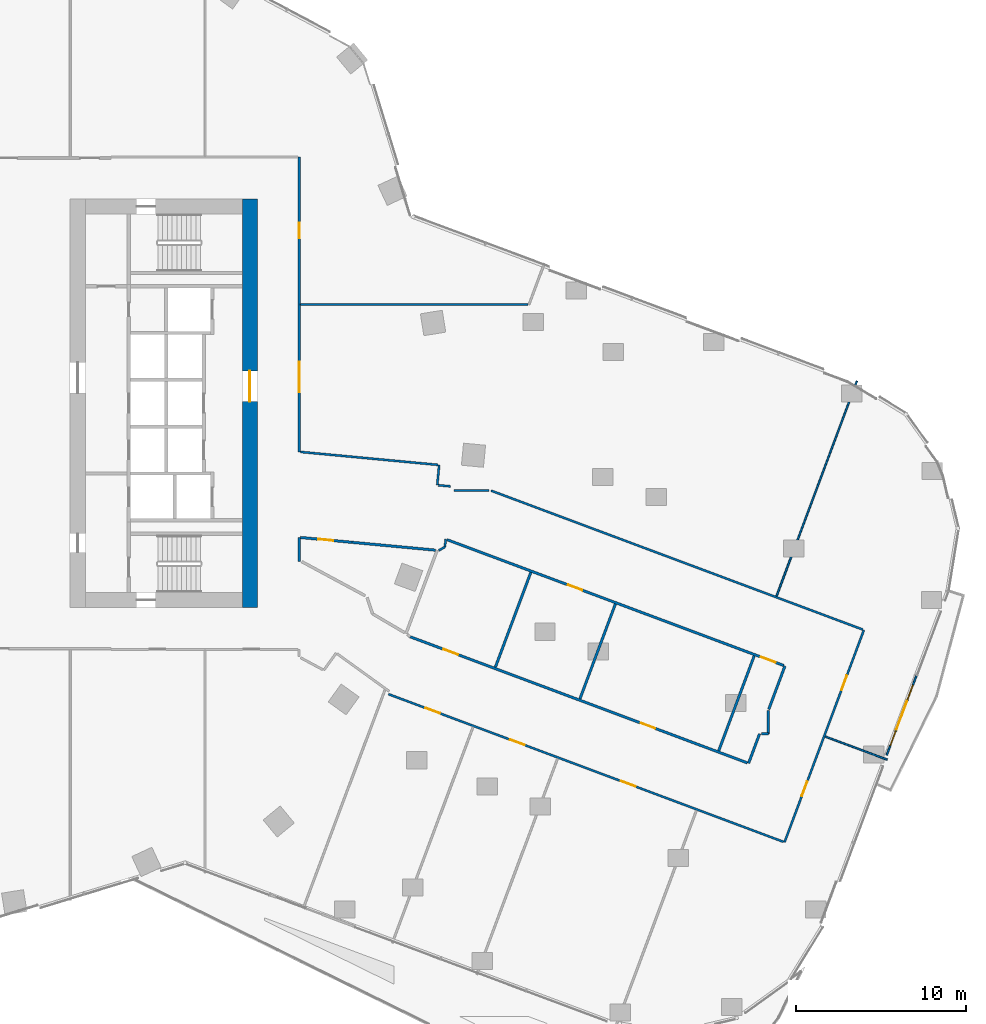
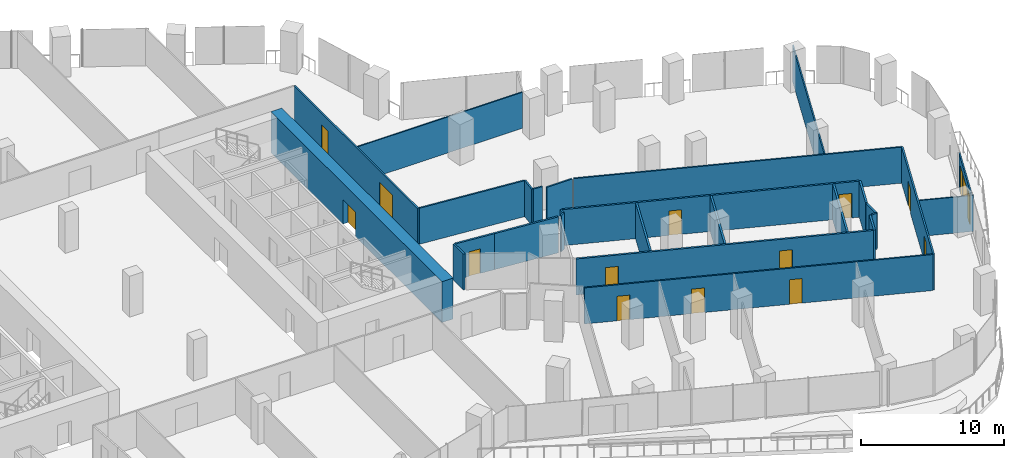
# One storey, part 25 of 30: 27 walls, 14 doors, 2 windows, 16 openings.
"""IFC4 building model written with IfcOpenShell, lengths in metres."""

from ifc_helpers import new_model, si_unit, direction, frame, frame_2d, origin, place, context, subcontext, project, spatial, rectangle, extrude, material, layer, layer_set, type_object, element, fill, save


model = new_model("IFC4")

# Units and contexts
model_context = context("Model", 3, precision=1e-05, world=origin(), true_north=direction((0.0, 1.0)))
body_context = subcontext(model_context, "Body", "Model", "MODEL_VIEW")
ifc_project = project(units=[si_unit("LENGTHUNIT", "METRE"), si_unit("AREAUNIT", "SQUARE_METRE"), si_unit("VOLUMEUNIT", "CUBIC_METRE"), si_unit("PLANEANGLEUNIT", "RADIAN"), si_unit("MASSUNIT", "GRAM", prefix="KILO")], contexts=[model_context])

# Site, building, storey
site_placement = place(None, origin())
site = spatial("IfcSite", under=ifc_project, at=site_placement, CompositionType="ELEMENT")
building_placement = place(site_placement, origin())
building = spatial("IfcBuilding", under=site, at=building_placement, Name="Orlundy Tower", CompositionType="ELEMENT")
storey_placement = place(building_placement, frame((0.0, 0.0, 80.699951171875)))
storey = spatial("IfcBuildingStorey", under=building, at=storey_placement, Name="L19", CompositionType="ELEMENT", Elevation=80.699951171875)

# Wall, opening, door
ifc_material_1 = material(Name="Concrete C80/95", Category="concrete")
ifc_layer_1 = layer(ifc_material_1, 0.89990234375)
ifc_layer_set_1 = layer_set([ifc_layer_1], Name="CORE WALL 900 C80/95")
wall_type_1 = type_object("IfcWallType", Name="CORE WALL 900 C80/95", PredefinedType="SHEAR", material=ifc_layer_set_1)
wall_1_placement = place(storey_placement, frame((18.550048828125, -12.0, 0.0), z_axis=(0.0, 0.0, 1.0), x_axis=(0.0, 1.0, 0.0)))
wall_1 = element("IfcWall", 1, at=wall_1_placement, inside=storey, type_object=wall_type_1, Name="Core wall E-E L19", PredefinedType="SHEAR", context=body_context, shape_type="SweptSolid", body=[
    extrude(rectangle(XDim=24.0, YDim=0.89990234375, at=frame_2d((12.0, 0.0))), origin(), (0.0, 0.0, 1.0), 3.5),
])
opening_1_placement = place(wall_1_placement, frame((12.10009765625, 0.0, 0.0)))
opening_1 = element("IfcOpeningElement", 2, at=opening_1_placement, cuts=wall_1, Name="Opening 16059", PredefinedType="OPENING", context=body_context, shape_type="SweptSolid", body=[
    extrude(rectangle(XDim=1.800048828125, YDim=2.10009765625, at=frame_2d((0.89990234375, 1.050048828125))), frame((0.0, 0.4599609375, 0.0), z_axis=(0.0, -1.0, 0.0), x_axis=(1.0, 0.0, 0.0)), (0.0, 0.0, 1.0), 0.919921875),
])
ifc_material_2 = material(Name="Timber door set", Category="wood")
door_type_1 = type_object("IfcDoorType", Name="Lobby Door 1800x2100", OperationType="DOUBLE_DOOR_DOUBLE_SWING", PredefinedType="DOOR", material=ifc_material_2)
door_1_placement = place(opening_1_placement, origin())
door_1 = element("IfcDoor", 3, at=door_1_placement, inside=storey, type_object=door_type_1, Name="Lift lobby door 16059", OperationType="SINGLE_SWING_RIGHT", OverallHeight=2.10009765625, OverallWidth=1.800048828125, PredefinedType="DOOR", context=body_context, shape_type="SweptSolid", body=[
    extrude(rectangle(XDim=1.800048828125, YDim=2.10009765625, at=frame_2d((0.89990234375, 1.050048828125))), frame((0.0, 0.02490234375, 0.0), z_axis=(0.0, -1.0, 0.0), x_axis=(1.0, 0.0, 0.0)), (0.0, 0.0, 1.0), 0.050048828125),
])
fill(opening_1, door_1)

# Walls
ifc_material_3 = material(Name="Gypsum board partition")
ifc_layer_2 = layer(ifc_material_3, 0.10009765625)
ifc_layer_set_2 = layer_set([ifc_layer_2], Name="Floor partition 100")
wall_type_2 = type_object("IfcWallType", Name="Floor partition 100", PredefinedType="PARTITIONING", material=ifc_layer_set_2)
wall_2_placement = place(storey_placement, frame((52.325927734375, -19.56396484375, 0.0), z_axis=(0.0, 0.0, 1.0), x_axis=(0.936664370043, -0.350228293963, 0.0)))
element("IfcWall", 4, at=wall_2_placement, inside=storey, type_object=wall_type_2, Name="wall-int-L19-027", PredefinedType="PARTITIONING", context=body_context, shape_type="SweptSolid", body=[
    extrude(rectangle(XDim=3.88623046875, YDim=0.10009765625, at=frame_2d((1.943115234375, 0.0))), origin(), (0.0, 0.0, 1.0), 3.080078125),
])
wall_3_placement = place(storey_placement, frame((21.511962890625, 5.799072265625, 0.0), z_axis=(0.0, 0.0, 1.0), x_axis=(1.0, 0.0, 0.0)))
element("IfcWall", 5, at=wall_3_placement, inside=storey, type_object=wall_type_2, Name="wall-int-L19-047", PredefinedType="PARTITIONING", context=body_context, shape_type="SweptSolid", body=[
    extrude(rectangle(XDim=13.35205078125, YDim=0.10009765625, at=frame_2d((6.676025390625, 0.0))), origin(), (0.0, 0.0, 1.0), 3.080078125),
])
wall_4_placement = place(storey_placement, frame((49.466064453125, -11.326904296875, 0.0), z_axis=(0.0, 0.0, 1.0), x_axis=(0.350154846627, 0.936691829463, 0.0)))
element("IfcWall", 6, at=wall_4_placement, inside=storey, type_object=wall_type_2, Name="wall-int-L19-073", PredefinedType="PARTITIONING", context=body_context, shape_type="SweptSolid", body=[
    extrude(rectangle(XDim=13.482421875, YDim=0.10009765625, at=frame_2d((6.7412109375, 0.0))), origin(), (0.0, 0.0, 1.0), 3.080078125),
])

# Wall, openings, doors
ifc_material_4 = material(Name="Gypsum board partition, double layer")
ifc_layer_3 = layer(ifc_material_4, 0.125)
ifc_layer_set_3 = layer_set([ifc_layer_3], Name="Floor partition 125")
wall_type_3 = type_object("IfcWallType", Name="Floor partition 125", PredefinedType="PARTITIONING", material=ifc_layer_set_3)
wall_5_placement = place(storey_placement, frame((49.87890625, -25.7490234375, 0.0), z_axis=(0.0, 0.0, 1.0), x_axis=(-0.936673120203, 0.350204891299, 0.0)))
wall_5 = element("IfcWall", 7, at=wall_5_placement, inside=storey, type_object=wall_type_3, Name="wall-int-L19-025", PredefinedType="PARTITIONING", context=body_context, shape_type="SweptSolid", body=[
    extrude(rectangle(XDim=24.762939453125, YDim=0.125, at=frame_2d((12.38134765625, 0.0))), origin(), (0.0, 0.0, 1.0), 3.080078125),
])
opening_2_placement = place(wall_5_placement, frame((21.537841796875, 0.0, 0.0)))
opening_2 = element("IfcOpeningElement", 8, at=opening_2_placement, cuts=wall_5, Name="Opening 16106", PredefinedType="OPENING", context=body_context, shape_type="SweptSolid", body=[
    extrude(rectangle(XDim=0.89990234375, YDim=2.10009765625, at=frame_2d((0.449951171875, 1.050048828125))), frame((0.0, 0.072509765625, 0.0), z_axis=(0.0, -1.0, 0.0), x_axis=(1.0, 0.0, 0.0)), (0.0, 0.0, 1.0), 0.14501953125),
])
opening_3_placement = place(wall_5_placement, frame((16.238037109375, 0.0, 0.0)))
opening_3 = element("IfcOpeningElement", 9, at=opening_3_placement, cuts=wall_5, Name="Opening 16107", PredefinedType="OPENING", context=body_context, shape_type="SweptSolid", body=[
    extrude(rectangle(XDim=0.89990234375, YDim=2.10009765625, at=frame_2d((0.449951171875, 1.050048828125))), frame((0.0, 0.072509765625, 0.0), z_axis=(0.0, -1.0, 0.0), x_axis=(1.0, 0.0, 0.0)), (0.0, 0.0, 1.0), 0.14501953125),
])
opening_4_placement = place(wall_5_placement, frame((9.287109375, 0.0, 0.0)))
opening_4 = element("IfcOpeningElement", 10, at=opening_4_placement, cuts=wall_5, Name="Opening 16108", PredefinedType="OPENING", context=body_context, shape_type="SweptSolid", body=[
    extrude(rectangle(XDim=0.89990234375, YDim=2.10009765625, at=frame_2d((0.449951171875, 1.050048828125))), frame((0.0, 0.072509765625, 0.0), z_axis=(0.0, -1.0, 0.0), x_axis=(1.0, 0.0, 0.0)), (0.0, 0.0, 1.0), 0.14501953125),
])
ifc_material_5 = material(Name="Timber door leaf", Category="wood")
door_type_2 = type_object("IfcDoorType", Name="Floor door single 900 FD30S", OperationType="NOTDEFINED", PredefinedType="DOOR", material=ifc_material_5)
door_2_placement = place(opening_2_placement, origin())
door_2 = element("IfcDoor", 11, at=door_2_placement, inside=storey, type_object=door_type_2, Name="Door 16106", OperationType="SINGLE_SWING_RIGHT", OverallHeight=2.10009765625, OverallWidth=0.89990234375, PredefinedType="DOOR", context=body_context, shape_type="SweptSolid", body=[
    extrude(rectangle(XDim=0.89990234375, YDim=2.10009765625, at=frame_2d((0.449951171875, 1.050048828125))), frame((0.0, 0.02490234375, 0.0), z_axis=(0.0, -1.0, 0.0), x_axis=(1.0, 0.0, 0.0)), (0.0, 0.0, 1.0), 0.050048828125),
])
fill(opening_2, door_2)
door_3_placement = place(opening_3_placement, origin())
door_3 = element("IfcDoor", 12, at=door_3_placement, inside=storey, type_object=door_type_2, Name="Door 16107", OperationType="SINGLE_SWING_RIGHT", OverallHeight=2.10009765625, OverallWidth=0.89990234375, PredefinedType="DOOR", context=body_context, shape_type="SweptSolid", body=[
    extrude(rectangle(XDim=0.89990234375, YDim=2.10009765625, at=frame_2d((0.449951171875, 1.050048828125))), frame((0.0, 0.02490234375, 0.0), z_axis=(0.0, -1.0, 0.0), x_axis=(1.0, 0.0, 0.0)), (0.0, 0.0, 1.0), 0.050048828125),
])
fill(opening_3, door_3)
door_4_placement = place(opening_4_placement, origin())
door_4 = element("IfcDoor", 13, at=door_4_placement, inside=storey, type_object=door_type_2, Name="Door 16108", OperationType="SINGLE_SWING_LEFT", OverallHeight=2.10009765625, OverallWidth=0.89990234375, PredefinedType="DOOR", context=body_context, shape_type="SweptSolid", body=[
    extrude(rectangle(XDim=0.89990234375, YDim=2.10009765625, at=frame_2d((0.449951171875, 1.050048828125))), frame((0.0, 0.02490234375, 0.0), z_axis=(0.0, -1.0, 0.0), x_axis=(1.0, 0.0, 0.0)), (0.0, 0.0, 1.0), 0.050048828125),
])
fill(opening_4, door_4)

# Walls
wall_6_placement = place(storey_placement, frame((32.7060546875, -5.1279296875, 0.0), z_axis=(0.0, 0.0, 1.0), x_axis=(0.936721191538, -0.350076290718, 0.0)))
element("IfcWall", 14, at=wall_6_placement, inside=storey, type_object=wall_type_3, Name="wall-int-L19-029", PredefinedType="PARTITIONING", context=body_context, shape_type="SweptSolid", body=[
    extrude(rectangle(XDim=23.306884765625, YDim=0.125, at=frame_2d((11.6533203125, 0.0))), origin(), (0.0, 0.0, 1.0), 3.080078125),
])
wall_7_placement = place(storey_placement, frame((29.611083984375, -4.81005859375, 0.0), z_axis=(0.0, 0.0, 1.0), x_axis=(0.995471198792, -0.095063622777, 0.0)))
element("IfcWall", 15, at=wall_7_placement, inside=storey, type_object=wall_type_3, Name="wall-int-L19-030", PredefinedType="PARTITIONING", context=body_context, shape_type="SweptSolid", body=[
    extrude(rectangle(XDim=0.72412109375, YDim=0.125, at=frame_2d((0.362060546875, 0.0))), origin(), (0.0, 0.0, 1.0), 3.080078125),
])
wall_8_placement = place(storey_placement, frame((29.635009765625, -8.64111328125, 0.0), z_axis=(0.0, 0.0, 1.0), x_axis=(0.869245908084, 0.494379966503, 0.0)))
element("IfcWall", 16, at=wall_8_placement, inside=storey, type_object=wall_type_3, Name="wall-int-L19-033", PredefinedType="PARTITIONING", context=body_context, shape_type="SweptSolid", body=[
    extrude(rectangle(XDim=0.418701171875, YDim=0.125, at=frame_2d((0.20947265625, 0.0))), origin(), (0.0, 0.0, 1.0), 3.080078125),
])
wall_9_placement = place(storey_placement, frame((21.511962890625, -2.85595703125, 0.0), z_axis=(0.0, 0.0, 1.0), x_axis=(0.995611848389, -0.09357909674, 0.0)))
element("IfcWall", 17, at=wall_9_placement, inside=storey, type_object=wall_type_3, Name="wall-int-L19-034", PredefinedType="PARTITIONING", context=body_context, shape_type="SweptSolid", body=[
    extrude(rectangle(XDim=8.12158203125, YDim=0.125, at=frame_2d((4.060791015625, 0.0))), origin(), (0.0, 0.0, 1.0), 3.080078125),
])
wall_10_placement = place(storey_placement, frame((30.52099609375, -5.117919921875, 0.0), z_axis=(0.0, 0.0, 1.0), x_axis=(1.0, 0.0, 0.0)))
element("IfcWall", 18, at=wall_10_placement, inside=storey, type_object=wall_type_3, Name="wall-int-L19-045", PredefinedType="PARTITIONING", context=body_context, shape_type="SweptSolid", body=[
    extrude(rectangle(XDim=2.06103515625, YDim=0.125, at=frame_2d((1.030517578125, 0.0))), origin(), (0.0, 0.0, 1.0), 3.080078125),
])

# Wall, openings, doors
wall_11_placement = place(storey_placement, frame((54.595947265625, -13.31298828125, 0.0), z_axis=(0.0, 0.0, 1.0), x_axis=(-0.35021402566, -0.936669704982, 0.0)))
wall_11 = element("IfcWall", 19, at=wall_11_placement, inside=storey, type_object=wall_type_3, Name="wall-int-L19-068", PredefinedType="PARTITIONING", context=body_context, shape_type="SweptSolid", body=[
    extrude(rectangle(XDim=13.30029296875, YDim=0.125, at=frame_2d((6.650146484375, 0.0))), origin(), (0.0, 0.0, 1.0), 3.080078125),
])
opening_5_placement = place(wall_11_placement, frame((2.85009765625, 0.0, 0.0)))
opening_5 = element("IfcOpeningElement", 20, at=opening_5_placement, cuts=wall_11, Name="Opening 16104", PredefinedType="OPENING", context=body_context, shape_type="SweptSolid", body=[
    extrude(rectangle(XDim=0.89990234375, YDim=2.10009765625, at=frame_2d((0.449951171875, 1.050048828125))), frame((0.0, 0.072509765625, 0.0), z_axis=(0.0, -1.0, 0.0), x_axis=(1.0, 0.0, 0.0)), (0.0, 0.0, 1.0), 0.14501953125),
])
opening_6_placement = place(wall_11_placement, frame((9.500244140625, 0.0, 0.0)))
opening_6 = element("IfcOpeningElement", 21, at=opening_6_placement, cuts=wall_11, Name="Opening 16105", PredefinedType="OPENING", context=body_context, shape_type="SweptSolid", body=[
    extrude(rectangle(XDim=0.89990234375, YDim=2.10009765625, at=frame_2d((0.449951171875, 1.050048828125))), frame((0.0, 0.072509765625, 0.0), z_axis=(0.0, -1.0, 0.0), x_axis=(1.0, 0.0, 0.0)), (0.0, 0.0, 1.0), 0.14501953125),
])
door_5_placement = place(opening_5_placement, origin())
door_5 = element("IfcDoor", 22, at=door_5_placement, inside=storey, type_object=door_type_2, Name="Door 16104", OperationType="SINGLE_SWING_LEFT", OverallHeight=2.10009765625, OverallWidth=0.89990234375, PredefinedType="DOOR", context=body_context, shape_type="SweptSolid", body=[
    extrude(rectangle(XDim=0.89990234375, YDim=2.10009765625, at=frame_2d((0.449951171875, 1.050048828125))), frame((0.0, 0.02490234375, 0.0), z_axis=(0.0, -1.0, 0.0), x_axis=(1.0, 0.0, 0.0)), (0.0, 0.0, 1.0), 0.050048828125),
])
fill(opening_5, door_5)
door_6_placement = place(opening_6_placement, origin())
door_6 = element("IfcDoor", 23, at=door_6_placement, inside=storey, type_object=door_type_2, Name="Door 16105", OperationType="SINGLE_SWING_RIGHT", OverallHeight=2.10009765625, OverallWidth=0.89990234375, PredefinedType="DOOR", context=body_context, shape_type="SweptSolid", body=[
    extrude(rectangle(XDim=0.89990234375, YDim=2.10009765625, at=frame_2d((0.449951171875, 1.050048828125))), frame((0.0, 0.02490234375, 0.0), z_axis=(0.0, -1.0, 0.0), x_axis=(1.0, 0.0, 0.0)), (0.0, 0.0, 1.0), 0.050048828125),
])
fill(opening_6, door_6)

# Walls
wall_12_placement = place(storey_placement, frame((29.549072265625, -4.803955078125, 0.0), z_axis=(0.0, 0.0, 1.0), x_axis=(0.094265160959, 0.99554712567, 0.0)))
element("IfcWall", 24, at=wall_12_placement, inside=storey, type_object=wall_type_3, Name="wall-int-L19-085", PredefinedType="PARTITIONING", context=body_context, shape_type="SweptSolid", body=[
    extrude(rectangle(XDim=1.186279296875, YDim=0.125, at=frame_2d((0.59326171875, 0.0))), origin(), (0.0, 0.0, 1.0), 3.080078125),
])
wall_13_placement = place(storey_placement, frame((29.9990234375, -8.43408203125, 0.0), z_axis=(0.0, 0.0, 1.0), x_axis=(0.09360430992, 0.995609478242, 0.0)))
element("IfcWall", 25, at=wall_13_placement, inside=storey, type_object=wall_type_3, Name="wall-int-L19-086", PredefinedType="PARTITIONING", context=body_context, shape_type="SweptSolid", body=[
    extrude(rectangle(XDim=0.458984375, YDim=0.125, at=frame_2d((0.2294921875, 0.0))), origin(), (0.0, 0.0, 1.0), 3.080078125),
])

# Wall, openings, doors
wall_14_placement = place(storey_placement, frame((21.449951171875, 14.450927734375, 0.0), z_axis=(0.0, 0.0, 1.0), x_axis=(0.0, -1.0, 0.0)))
wall_14 = element("IfcWall", 26, at=wall_14_placement, inside=storey, type_object=wall_type_3, Name="wall-int-L19-093", PredefinedType="PARTITIONING", context=body_context, shape_type="SweptSolid", body=[
    extrude(rectangle(XDim=17.301025390625, YDim=0.125, at=frame_2d((8.650390625, 0.0))), origin(), (0.0, 0.0, 1.0), 3.080078125),
])
opening_7_placement = place(wall_14_placement, frame((12.001953125, 0.0, 0.0)))
opening_7 = element("IfcOpeningElement", 27, at=opening_7_placement, cuts=wall_14, Name="Opening 16127", PredefinedType="OPENING", context=body_context, shape_type="SweptSolid", body=[
    extrude(rectangle(XDim=1.800048828125, YDim=2.10009765625, at=frame_2d((0.89990234375, 1.050048828125))), frame((0.0, 0.072509765625, 0.0), z_axis=(0.0, -1.0, 0.0), x_axis=(1.0, 0.0, 0.0)), (0.0, 0.0, 1.0), 0.14501953125),
])
opening_8_placement = place(wall_14_placement, frame((3.85009765625, 0.0, 0.0)))
opening_8 = element("IfcOpeningElement", 28, at=opening_8_placement, cuts=wall_14, Name="Opening 16128", PredefinedType="OPENING", context=body_context, shape_type="SweptSolid", body=[
    extrude(rectangle(XDim=0.89990234375, YDim=2.10009765625, at=frame_2d((0.449951171875, 1.050048828125))), frame((0.0, 0.072509765625, 0.0), z_axis=(0.0, -1.0, 0.0), x_axis=(1.0, 0.0, 0.0)), (0.0, 0.0, 1.0), 0.14501953125),
])
ifc_material_6 = material(Name="Timber door leaf", Category="wood")
door_type_3 = type_object("IfcDoorType", Name="Floor door double 1800 FD30S", OperationType="NOTDEFINED", PredefinedType="DOOR", material=ifc_material_6)
door_7_placement = place(opening_7_placement, origin())
door_7 = element("IfcDoor", 29, at=door_7_placement, inside=storey, type_object=door_type_3, Name="Door 16127", OperationType="DOUBLE_DOOR_SINGLE_SWING", OverallHeight=2.10009765625, OverallWidth=1.800048828125, PredefinedType="DOOR", context=body_context, shape_type="SweptSolid", body=[
    extrude(rectangle(XDim=1.800048828125, YDim=2.10009765625, at=frame_2d((0.89990234375, 1.050048828125))), frame((0.0, 0.02490234375, 0.0), z_axis=(0.0, -1.0, 0.0), x_axis=(1.0, 0.0, 0.0)), (0.0, 0.0, 1.0), 0.050048828125),
])
fill(opening_7, door_7)
door_8_placement = place(opening_8_placement, origin())
door_8 = element("IfcDoor", 30, at=door_8_placement, inside=storey, type_object=door_type_2, Name="Door 16128", OperationType="SINGLE_SWING_LEFT", OverallHeight=2.10009765625, OverallWidth=0.89990234375, PredefinedType="DOOR", context=body_context, shape_type="SweptSolid", body=[
    extrude(rectangle(XDim=0.89990234375, YDim=2.10009765625, at=frame_2d((0.449951171875, 1.050048828125))), frame((0.0, 0.02490234375, 0.0), z_axis=(0.0, -1.0, 0.0), x_axis=(1.0, 0.0, 0.0)), (0.0, 0.0, 1.0), 0.050048828125),
])
fill(opening_8, door_8)

ifc_material_7 = material(Name="Blockwork shaft wall", Category="masonry")
ifc_layer_4 = layer(ifc_material_7, 0.14990234375)
ifc_layer_set_4 = layer_set([ifc_layer_4], Name="Floor shaft wall 150")
wall_type_4 = type_object("IfcWallType", Name="Floor shaft wall 150", PredefinedType="PARTITIONING", material=ifc_layer_set_4)
wall_15_placement = place(storey_placement, frame((27.9541015625, -13.70703125, 0.0), z_axis=(0.0, 0.0, 1.0), x_axis=(0.936643936966, -0.350282936133, 0.0)))
wall_15 = element("IfcWall", 31, at=wall_15_placement, inside=storey, type_object=wall_type_4, Name="wall-int-L19-026", PredefinedType="PARTITIONING", context=body_context, shape_type="SweptSolid", body=[
    extrude(rectangle(XDim=21.14013671875, YDim=0.14990234375, at=frame_2d((10.570068359375, 0.0))), origin(), (0.0, 0.0, 1.0), 3.080078125),
])
opening_9_placement = place(wall_15_placement, frame((2.10009765625, 0.0, 0.0)))
opening_9 = element("IfcOpeningElement", 32, at=opening_9_placement, cuts=wall_15, Name="Opening 16102", PredefinedType="OPENING", context=body_context, shape_type="SweptSolid", body=[
    extrude(rectangle(XDim=0.89990234375, YDim=2.10009765625, at=frame_2d((0.449951171875, 1.050048828125))), frame((0.0, 0.0849609375, 0.0), z_axis=(0.0, -1.0, 0.0), x_axis=(1.0, 0.0, 0.0)), (0.0, 0.0, 1.0), 0.169921875),
])
opening_10_placement = place(wall_15_placement, frame((14.46630859375, 0.0, 0.0)))
opening_10 = element("IfcOpeningElement", 33, at=opening_10_placement, cuts=wall_15, Name="Opening 16103", PredefinedType="OPENING", context=body_context, shape_type="SweptSolid", body=[
    extrude(rectangle(XDim=0.89990234375, YDim=2.10009765625, at=frame_2d((0.449951171875, 1.050048828125))), frame((0.0, 0.0849609375, 0.0), z_axis=(0.0, -1.0, 0.0), x_axis=(1.0, 0.0, 0.0)), (0.0, 0.0, 1.0), 0.169921875),
])
ifc_material_8 = material(Name="Timber door leaf", Category="wood")
door_type_4 = type_object("IfcDoorType", Name="Floor door single 900 FD60", OperationType="NOTDEFINED", PredefinedType="DOOR", material=ifc_material_8)
door_9_placement = place(opening_9_placement, origin())
door_9 = element("IfcDoor", 34, at=door_9_placement, inside=storey, type_object=door_type_4, Name="Door 16102", OperationType="SINGLE_SWING_LEFT", OverallHeight=2.10009765625, OverallWidth=0.89990234375, PredefinedType="DOOR", context=body_context, shape_type="SweptSolid", body=[
    extrude(rectangle(XDim=0.89990234375, YDim=2.10009765625, at=frame_2d((0.449951171875, 1.050048828125))), frame((0.0, 0.02490234375, 0.0), z_axis=(0.0, -1.0, 0.0), x_axis=(1.0, 0.0, 0.0)), (0.0, 0.0, 1.0), 0.050048828125),
])
fill(opening_9, door_9)
door_10_placement = place(opening_10_placement, origin())
door_10 = element("IfcDoor", 35, at=door_10_placement, inside=storey, type_object=door_type_4, Name="Door 16103", OperationType="SINGLE_SWING_RIGHT", OverallHeight=2.10009765625, OverallWidth=0.89990234375, PredefinedType="DOOR", context=body_context, shape_type="SweptSolid", body=[
    extrude(rectangle(XDim=0.89990234375, YDim=2.10009765625, at=frame_2d((0.449951171875, 1.050048828125))), frame((0.0, 0.02490234375, 0.0), z_axis=(0.0, -1.0, 0.0), x_axis=(1.0, 0.0, 0.0)), (0.0, 0.0, 1.0), 0.050048828125),
])
fill(opening_10, door_10)

wall_16_placement = place(storey_placement, frame((49.89208984375, -15.39697265625, 0.0), z_axis=(0.0, 0.0, 1.0), x_axis=(-0.936700392394, 0.35013193926, 0.0)))
wall_16 = element("IfcWall", 36, at=wall_16_placement, inside=storey, type_object=wall_type_4, Name="wall-int-L19-028", PredefinedType="PARTITIONING", context=body_context, shape_type="SweptSolid", body=[
    extrude(rectangle(XDim=21.10595703125, YDim=0.14990234375, at=frame_2d((10.552978515625, 0.0))), origin(), (0.0, 0.0, 1.0), 3.080078125),
])
opening_11_placement = place(wall_16_placement, frame((12.624267578125, 0.0, 0.0)))
opening_11 = element("IfcOpeningElement", 37, at=opening_11_placement, cuts=wall_16, Name="Opening 16100", PredefinedType="OPENING", context=body_context, shape_type="SweptSolid", body=[
    extrude(rectangle(XDim=0.89990234375, YDim=2.10009765625, at=frame_2d((0.449951171875, 1.050048828125))), frame((0.0, 0.0849609375, 0.0), z_axis=(0.0, -1.0, 0.0), x_axis=(1.0, 0.0, 0.0)), (0.0, 0.0, 1.0), 0.169921875),
])
opening_12_placement = place(wall_16_placement, frame((0.52490234375, 0.0, 0.0)))
opening_12 = element("IfcOpeningElement", 38, at=opening_12_placement, cuts=wall_16, Name="Opening 16101", PredefinedType="OPENING", context=body_context, shape_type="SweptSolid", body=[
    extrude(rectangle(XDim=0.89990234375, YDim=2.10009765625, at=frame_2d((0.449951171875, 1.050048828125))), frame((0.0, 0.0849609375, 0.0), z_axis=(0.0, -1.0, 0.0), x_axis=(1.0, 0.0, 0.0)), (0.0, 0.0, 1.0), 0.169921875),
])
door_11_placement = place(opening_11_placement, origin())
door_11 = element("IfcDoor", 39, at=door_11_placement, inside=storey, type_object=door_type_4, Name="Door 16100", OperationType="SINGLE_SWING_RIGHT", OverallHeight=2.10009765625, OverallWidth=0.89990234375, PredefinedType="DOOR", context=body_context, shape_type="SweptSolid", body=[
    extrude(rectangle(XDim=0.89990234375, YDim=2.10009765625, at=frame_2d((0.449951171875, 1.050048828125))), frame((0.0, 0.02490234375, 0.0), z_axis=(0.0, -1.0, 0.0), x_axis=(1.0, 0.0, 0.0)), (0.0, 0.0, 1.0), 0.050048828125),
])
fill(opening_11, door_11)
door_12_placement = place(opening_12_placement, origin())
door_12 = element("IfcDoor", 40, at=door_12_placement, inside=storey, type_object=door_type_4, Name="Door 16101", OperationType="SINGLE_SWING_LEFT", OverallHeight=2.10009765625, OverallWidth=0.89990234375, PredefinedType="DOOR", context=body_context, shape_type="SweptSolid", body=[
    extrude(rectangle(XDim=0.89990234375, YDim=2.10009765625, at=frame_2d((0.449951171875, 1.050048828125))), frame((0.0, 0.02490234375, 0.0), z_axis=(0.0, -1.0, 0.0), x_axis=(1.0, 0.0, 0.0)), (0.0, 0.0, 1.0), 0.050048828125),
])
fill(opening_12, door_12)

# Wall
wall_17_placement = place(storey_placement, frame((24.547119140625, -8.1640625, 0.0), z_axis=(0.0, 0.0, 1.0), x_axis=(0.995634514424, -0.093337632747, 0.0)))
element("IfcWall", 41, at=wall_17_placement, inside=storey, type_object=wall_type_4, Name="wall-int-L19-031", PredefinedType="PARTITIONING", context=body_context, shape_type="SweptSolid", body=[
    extrude(rectangle(XDim=4.91748046875, YDim=0.14990234375, at=frame_2d((2.458740234375, 0.0))), origin(), (0.0, 0.0, 1.0), 3.080078125),
])

# Wall, opening, door
wall_18_placement = place(storey_placement, frame((24.5458984375, -8.1640625, 0.0), z_axis=(0.0, 0.0, 1.0), x_axis=(-0.995604734461, 0.093654752781, 0.0)))
wall_18 = element("IfcWall", 42, at=wall_18_placement, inside=storey, type_object=wall_type_4, Name="wall-int-L19-032", PredefinedType="PARTITIONING", context=body_context, shape_type="SweptSolid", body=[
    extrude(rectangle(XDim=3.034423828125, YDim=0.14990234375, at=frame_2d((1.51708984375, 0.0))), origin(), (0.0, 0.0, 1.0), 3.080078125),
])
opening_13_placement = place(wall_18_placement, frame((1.10009765625, 0.0, 0.0)))
opening_13 = element("IfcOpeningElement", 43, at=opening_13_placement, cuts=wall_18, Name="Opening 16119", PredefinedType="OPENING", context=body_context, shape_type="SweptSolid", body=[
    extrude(rectangle(XDim=0.89990234375, YDim=2.10009765625, at=frame_2d((0.449951171875, 1.050048828125))), frame((0.0, 0.0849609375, 0.0), z_axis=(0.0, -1.0, 0.0), x_axis=(1.0, 0.0, 0.0)), (0.0, 0.0, 1.0), 0.169921875),
])
door_13_placement = place(opening_13_placement, origin())
door_13 = element("IfcDoor", 44, at=door_13_placement, inside=storey, type_object=door_type_4, Name="Door 16119", OperationType="SINGLE_SWING_RIGHT", OverallHeight=2.10009765625, OverallWidth=0.89990234375, PredefinedType="DOOR", context=body_context, shape_type="SweptSolid", body=[
    extrude(rectangle(XDim=0.89990234375, YDim=2.10009765625, at=frame_2d((0.449951171875, 1.050048828125))), frame((0.0, 0.02490234375, 0.0), z_axis=(0.0, -1.0, 0.0), x_axis=(1.0, 0.0, 0.0)), (0.0, 0.0, 1.0), 0.050048828125),
])
fill(opening_13, door_13)

# Walls
wall_19_placement = place(storey_placement, frame((48.58203125, -19.403076171875, 0.0), z_axis=(0.0, 0.0, 1.0), x_axis=(1.0, 0.0, 0.0)))
element("IfcWall", 45, at=wall_19_placement, inside=storey, type_object=wall_type_4, Name="wall-int-L19-038", PredefinedType="PARTITIONING", context=body_context, shape_type="SweptSolid", body=[
    extrude(rectangle(XDim=0.39990234375, YDim=0.14990234375, at=frame_2d((0.199951171875, 0.0))), origin(), (0.0, 0.0, 1.0), 3.080078125),
])
wall_20_placement = place(storey_placement, frame((47.825927734375, -21.136962890625, 0.0), z_axis=(0.0, 0.0, 1.0), x_axis=(0.350342430847, 0.936621685179, 0.0)))
element("IfcWall", 46, at=wall_20_placement, inside=storey, type_object=wall_type_4, Name="wall-int-L19-069", PredefinedType="PARTITIONING", context=body_context, shape_type="SweptSolid", body=[
    extrude(rectangle(XDim=1.85009765625, YDim=0.14990234375, at=frame_2d((0.925048828125, 0.0))), origin(), (0.0, 0.0, 1.0), 3.080078125),
])
wall_21_placement = place(storey_placement, frame((49.009033203125, -17.972900390625, 0.0), z_axis=(0.0, 0.0, 1.0), x_axis=(0.350179353698, 0.936682667846, 0.0)))
element("IfcWall", 47, at=wall_21_placement, inside=storey, type_object=wall_type_4, Name="wall-int-L19-070", PredefinedType="PARTITIONING", context=body_context, shape_type="SweptSolid", body=[
    extrude(rectangle(XDim=2.72119140625, YDim=0.14990234375, at=frame_2d((1.360595703125, 0.0))), origin(), (0.0, 0.0, 1.0), 3.080078125),
])
for number, where, z_axis, x_axis, name in (
    (48, (46.072998046875, -20.402099609375, 0.0), (0.0, 0.0, 1.0), (0.350255420324, 0.936654226774, 0.0), "wall-int-L19-072"),
    (49, (37.924072265625, -17.35498046875, 0.0), (0.0, 0.0, 1.0), (0.350255420324, 0.936654226774, 0.0), "wall-int-L19-075"),
    (50, (32.958984375, -15.4990234375, 0.0), (0.0, 0.0, 1.0), (0.350255420324, 0.936654226774, 0.0), "wall-int-L19-077"),
):
    element("IfcWall", number, at=place(storey_placement, frame(where, z_axis=z_axis, x_axis=x_axis)), inside=storey, type_object=wall_type_4, Name=name, PredefinedType="PARTITIONING", context=body_context, shape_type="SweptSolid", body=[
        extrude(rectangle(XDim=5.949951171875, YDim=0.14990234375, at=frame_2d((2.97509765625, 0.0))), origin(), (0.0, 0.0, 1.0), 3.080078125),
    ])
wall_22_placement = place(storey_placement, frame((48.98193359375, -19.403076171875, 0.0), z_axis=(0.0, 0.0, 1.0), x_axis=(0.0, 1.0, 0.0)))
element("IfcWall", 51, at=wall_22_placement, inside=storey, type_object=wall_type_4, Name="wall-int-L19-090", PredefinedType="PARTITIONING", context=body_context, shape_type="SweptSolid", body=[
    extrude(rectangle(XDim=1.359130859375, YDim=0.14990234375, at=frame_2d((0.6796875, 0.0))), origin(), (0.0, 0.0, 1.0), 3.080078125),
])
wall_23_placement = place(storey_placement, frame((21.449951171875, -9.301025390625, 0.0), z_axis=(0.0, 0.0, 1.0), x_axis=(0.0, 1.0, 0.0)))
element("IfcWall", 52, at=wall_23_placement, inside=storey, type_object=wall_type_4, Name="wall-int-L19-092", PredefinedType="PARTITIONING", context=body_context, shape_type="SweptSolid", body=[
    extrude(rectangle(XDim=1.427978515625, YDim=0.14990234375, at=frame_2d((0.7138671875, 0.0))), origin(), (0.0, 0.0, 1.0), 3.080078125),
])

# Wall, openings, windows, door
ifc_material_9 = material(Name="Aluminium bronze and tinted glass", Category="aluminium")
ifc_layer_5 = layer(ifc_material_9, 0.10009765625)
ifc_layer_set_5 = layer_set([ifc_layer_5], Name="Glazed door screen")
wall_type_5 = type_object("IfcWallType", Name="Glazed door screen", PredefinedType="STANDARD", material=ifc_layer_set_5)
wall_24_placement = place(storey_placement, frame((57.68359375, -15.988525390625, 0.0), z_axis=(0.0, 0.0, 1.0), x_axis=(-0.350205277178, -0.93667297593, 0.0)))
wall_24 = element("IfcWall", 53, at=wall_24_placement, inside=storey, type_object=wall_type_5, Name="Glazed door screen", PredefinedType="STANDARD", context=body_context, shape_type="SweptSolid", body=[
    extrude(rectangle(XDim=4.98388671875, YDim=0.10009765625, at=frame_2d((2.491943359375, 0.0))), origin(), (0.0, 0.0, 1.0), 3.10009765625),
])
opening_14_placement = place(wall_24_placement, frame((1.592041015625, 0.0, 0.0)))
opening_14 = element("IfcOpeningElement", 54, at=opening_14_placement, cuts=wall_24, Name="Opening 16941", PredefinedType="OPENING", context=body_context, shape_type="SweptSolid", body=[
    extrude(rectangle(XDim=1.800048828125, YDim=2.39990234375, at=frame_2d((0.89990234375, 1.199951171875))), frame((0.0, 0.06005859375, 0.0), z_axis=(0.0, -1.0, 0.0), x_axis=(1.0, 0.0, 0.0)), (0.0, 0.0, 1.0), 0.1201171875),
])
opening_15_placement = place(wall_24_placement, frame((0.592041015625, 0.0, 0.0)))
opening_15 = element("IfcOpeningElement", 55, at=opening_15_placement, cuts=wall_24, Name="Opening W02", PredefinedType="OPENING", context=body_context, shape_type="SweptSolid", body=[
    extrude(rectangle(XDim=0.89990234375, YDim=2.39990234375, at=frame_2d((0.449951171875, 1.199951171875))), frame((0.0, 0.06005859375, 0.0), z_axis=(0.0, -1.0, 0.0), x_axis=(1.0, 0.0, 0.0)), (0.0, 0.0, 1.0), 0.1201171875),
])
opening_16_placement = place(wall_24_placement, frame((3.491943359375, 0.0, 0.0)))
opening_16 = element("IfcOpeningElement", 56, at=opening_16_placement, cuts=wall_24, Name="Opening W02", PredefinedType="OPENING", context=body_context, shape_type="SweptSolid", body=[
    extrude(rectangle(XDim=0.89990234375, YDim=2.39990234375, at=frame_2d((0.449951171875, 1.199951171875))), frame((0.0, 0.06005859375, 0.0), z_axis=(0.0, -1.0, 0.0), x_axis=(1.0, 0.0, 0.0)), (0.0, 0.0, 1.0), 0.1201171875),
])
ifc_material_10 = material(Name="Tinted glass in bronze aluminium frame", Category="aluminium")
window_type = type_object("IfcWindowType", Name="SL2 sidelight 900x2400", PartitioningType="SINGLE_PANEL", PredefinedType="WINDOW", material=ifc_material_10)
window_1_placement = place(opening_15_placement, origin())
window_1 = element("IfcWindow", 57, at=window_1_placement, inside=storey, type_object=window_type, Name="Window W02 L19", OverallHeight=2.39990234375, OverallWidth=0.89990234375, PartitioningType="SINGLE_PANEL", PredefinedType="WINDOW", context=body_context, shape_type="SweptSolid", body=[
    extrude(rectangle(XDim=0.89990234375, YDim=2.39990234375, at=frame_2d((0.449951171875, 1.199951171875))), frame((0.0, 0.030029296875, 0.0), z_axis=(0.0, -1.0, 0.0), x_axis=(1.0, 0.0, 0.0)), (0.0, 0.0, 1.0), 0.06005859375),
])
fill(opening_15, window_1)
window_2_placement = place(opening_16_placement, origin())
window_2 = element("IfcWindow", 58, at=window_2_placement, inside=storey, type_object=window_type, Name="Window W02 L19", OverallHeight=2.39990234375, OverallWidth=0.89990234375, PartitioningType="SINGLE_PANEL", PredefinedType="WINDOW", context=body_context, shape_type="SweptSolid", body=[
    extrude(rectangle(XDim=0.89990234375, YDim=2.39990234375, at=frame_2d((0.449951171875, 1.199951171875))), frame((0.0, 0.030029296875, 0.0), z_axis=(0.0, -1.0, 0.0), x_axis=(1.0, 0.0, 0.0)), (0.0, 0.0, 1.0), 0.06005859375),
])
fill(opening_16, window_2)
ifc_material_11 = material(Name="Aluminium bronze and tinted glass", Category="aluminium")
door_type_5 = type_object("IfcDoorType", Name="TD3 terrace sliding door 1800x2400", OperationType="DOUBLE_DOOR_SLIDING", PredefinedType="DOOR", material=ifc_material_11)
door_14_placement = place(opening_14_placement, origin())
door_14 = element("IfcDoor", 59, at=door_14_placement, inside=storey, type_object=door_type_5, Name="Door 16941", OperationType="DOUBLE_DOOR_SLIDING", OverallHeight=2.39990234375, OverallWidth=1.800048828125, PredefinedType="DOOR", context=body_context, shape_type="SweptSolid", body=[
    extrude(rectangle(XDim=1.800048828125, YDim=2.39990234375, at=frame_2d((0.89990234375, 1.199951171875))), frame((0.0, 0.02490234375, 0.0), z_axis=(0.0, -1.0, 0.0), x_axis=(1.0, 0.0, 0.0)), (0.0, 0.0, 1.0), 0.050048828125),
])
fill(opening_14, door_14)

save(model, "model.ifc")
